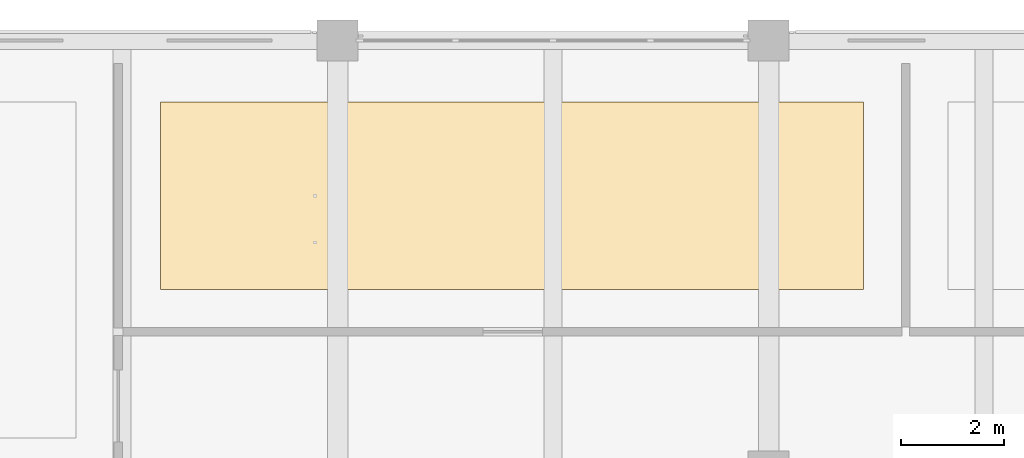
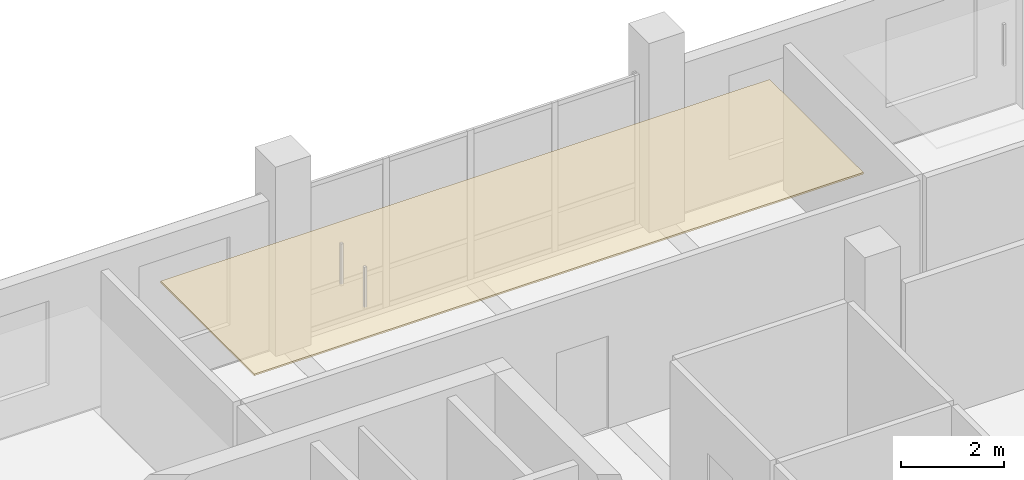
# One storey, part 27 of 34: 1 covering.
"""IFC4 building model written with IfcOpenShell, lengths in metres."""

from ifc_helpers import new_model, si_unit, direction, frame, origin, place, context, subcontext, project, spatial, polyline, outline, extrude, material, layer, layer_set, type_object, element, save


model = new_model("IFC4")

# Units and contexts
model_context = context("Model", 3, precision=1e-05, world=origin(), true_north=direction((0.0, 1.0)))
body_context = subcontext(model_context, "Body", "Model", "MODEL_VIEW")
ifc_project = project(units=[si_unit("LENGTHUNIT", "METRE"), si_unit("AREAUNIT", "SQUARE_METRE"), si_unit("VOLUMEUNIT", "CUBIC_METRE"), si_unit("PLANEANGLEUNIT", "RADIAN"), si_unit("MASSUNIT", "GRAM", prefix="KILO")], contexts=[model_context])

# Site, building, storey
site_placement = place(None, origin())
site = spatial("IfcSite", under=ifc_project, at=site_placement, CompositionType="ELEMENT")
building_placement = place(site_placement, origin())
building = spatial("IfcBuilding", under=site, at=building_placement, Name="Telukmera Botanical Conservatory", CompositionType="ELEMENT")
storey_placement = place(building_placement, frame((0.0, 0.0, 37.5)))
storey = spatial("IfcBuildingStorey", under=building, at=storey_placement, Name="L08", CompositionType="ELEMENT", Elevation=37.5)

# Covering
ifc_material = material(Name="Perforated gypsum acoustic ceiling")
ifc_layer = layer(ifc_material, 0.0400390625)
ifc_layer_set = layer_set([ifc_layer], Name="Perforated gypsum acoustic ceiling")
covering_type = type_object("IfcCoveringType", Name="COV-CEIL-40", PredefinedType="CEILING", material=ifc_layer_set)
covering_placement = place(storey_placement, frame((0.0, 0.0, 3.31005859375)))
element("IfcCovering", 1, at=covering_placement, inside=storey, type_object=covering_type, Name="L08 Proteomics Research Laboratory Suspended Acoustic Ceiling", PredefinedType="CEILING", context=body_context, shape_type="SweptSolid", body=[
    extrude(outline(polyline([(63.75, 37.949951171875), (77.449951171875, 37.949951171875), (77.449951171875, 41.60009765625), (63.75, 41.60009765625), (63.75, 37.949951171875)])), origin(), (0.0, 0.0, 1.0), 0.0400390625),
])

save(model, "model.ifc")
